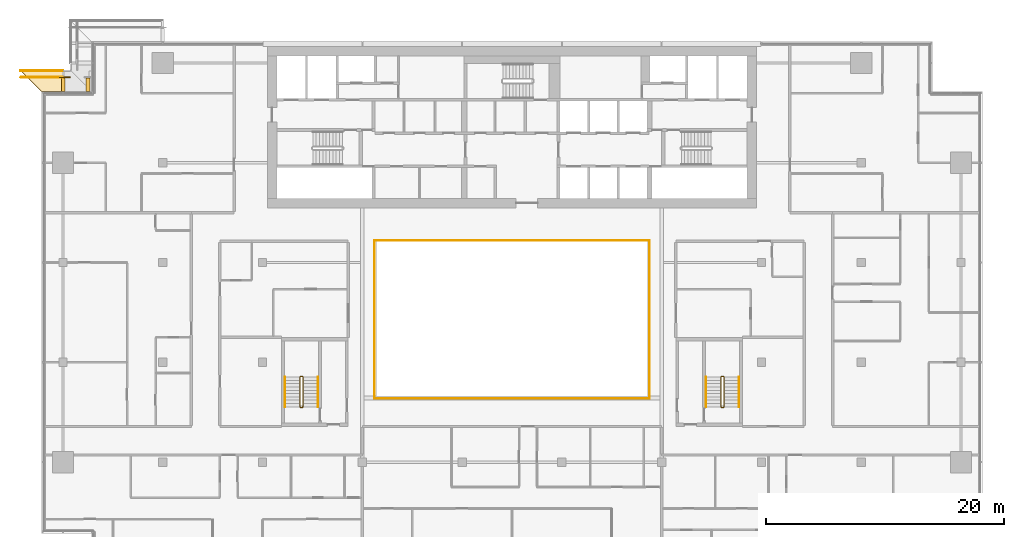
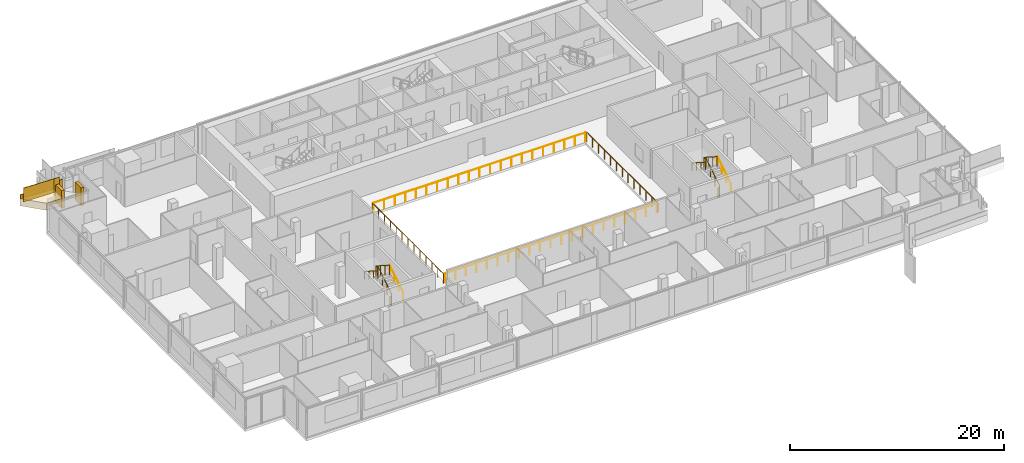
# One storey, part 26 of 30: 13 railings, 4 coverings.
"""IFC4 building model written with IfcOpenShell, lengths in metres."""

from ifc_helpers import new_model, si_unit, direction, frame, origin, origin_2d, place, context, subcontext, project, spatial, polyline, rectangle, circle, outline, extrude, material, layer, layer_set, type_object, element, save


model = new_model("IFC4")

# Units and contexts
model_context = context("Model", 3, precision=1e-05, world=origin(), true_north=direction((0.0, 1.0)))
body_context = subcontext(model_context, "Body", "Model", "MODEL_VIEW")
ifc_project = project(units=[si_unit("LENGTHUNIT", "METRE"), si_unit("AREAUNIT", "SQUARE_METRE"), si_unit("VOLUMEUNIT", "CUBIC_METRE"), si_unit("PLANEANGLEUNIT", "RADIAN"), si_unit("MASSUNIT", "GRAM", prefix="KILO")], contexts=[model_context])

# Site, building, storey
site_placement = place(None, origin())
site = spatial("IfcSite", under=ifc_project, at=site_placement, CompositionType="ELEMENT")
building_placement = place(site_placement, origin())
building = spatial("IfcBuilding", under=site, at=building_placement, Name="Saffron Gate Tower", CompositionType="ELEMENT")
storey_placement = place(building_placement, frame((0.0, 0.0, 179.85009765625)))
storey = spatial("IfcBuildingStorey", under=building, at=storey_placement, Name="L44", CompositionType="ELEMENT", Elevation=179.85009765625)

# Railings
ifc_material_1 = material(Name="Stainless steel and laminated glass", Category="steel")
railing_type_1 = type_object("IfcRailingType", Name="AG1 Atrium edge guard 1100", PredefinedType="GUARDRAIL", material=ifc_material_1)
railing_1_placement = place(storey_placement, frame((76.02001953125, 45.5400390625, 0.0)))
element("IfcRailing", 1, at=railing_1_placement, inside=storey, type_object=railing_type_1, Name="Guard C4-1", PredefinedType="GUARDRAIL", context=body_context, shape_type="SweptSolid", body=[
    extrude(circle(Radius=0.02392578125, at=origin_2d()), frame((0.0, 0.0, 1.076171875), z_axis=(0.0, 1.0, 0.0), x_axis=(-1.0, 0.0, 0.0)), (0.0, 0.0, 1.0), 13.320068359375),
    extrude(circle(Radius=0.02099609375, at=origin_2d()), origin(), (0.0, 0.0, 1.0), 1.052001953125),
    extrude(circle(Radius=0.02099609375, at=origin_2d()), frame((0.0, 1.110107421875, 0.0)), (0.0, 0.0, 1.0), 1.052001953125),
    extrude(circle(Radius=0.02099609375, at=origin_2d()), frame((0.0, 2.219970703125, 0.0)), (0.0, 0.0, 1.0), 1.052001953125),
    extrude(circle(Radius=0.02099609375, at=origin_2d()), frame((0.0, 3.330078125, 0.0)), (0.0, 0.0, 1.0), 1.052001953125),
    extrude(circle(Radius=0.02099609375, at=origin_2d()), frame((0.0, 4.43994140625, 0.0)), (0.0, 0.0, 1.0), 1.052001953125),
    extrude(circle(Radius=0.02099609375, at=origin_2d()), frame((0.0, 5.550048828125, 0.0)), (0.0, 0.0, 1.0), 1.052001953125),
    extrude(circle(Radius=0.02099609375, at=origin_2d()), frame((0.0, 6.66015625, 0.0)), (0.0, 0.0, 1.0), 1.052001953125),
    extrude(circle(Radius=0.02099609375, at=origin_2d()), frame((0.0, 7.77001953125, 0.0)), (0.0, 0.0, 1.0), 1.052001953125),
    extrude(circle(Radius=0.02099609375, at=origin_2d()), frame((0.0, 8.880126953125, 0.0)), (0.0, 0.0, 1.0), 1.052001953125),
    extrude(circle(Radius=0.02099609375, at=origin_2d()), frame((0.0, 9.989990234375, 0.0)), (0.0, 0.0, 1.0), 1.052001953125),
    extrude(circle(Radius=0.02099609375, at=origin_2d()), frame((0.0, 11.10009765625, 0.0)), (0.0, 0.0, 1.0), 1.052001953125),
    extrude(circle(Radius=0.02099609375, at=origin_2d()), frame((0.0, 12.2099609375, 0.0)), (0.0, 0.0, 1.0), 1.052001953125),
    extrude(circle(Radius=0.02099609375, at=origin_2d()), frame((0.0, 13.320068359375, 0.0)), (0.0, 0.0, 1.0), 1.052001953125),
])
railing_2_placement = place(storey_placement, frame((76.139892578125, 58.860107421875, 0.0)))
element("IfcRailing", 2, at=railing_2_placement, inside=storey, type_object=railing_type_1, Name="Guard C4-2", PredefinedType="GUARDRAIL", context=body_context, shape_type="SweptSolid", body=[
    extrude(circle(Radius=0.02392578125, at=origin_2d()), frame((0.0, 0.0, 1.076171875), z_axis=(1.0, 0.0, 0.0), x_axis=(0.0, 1.0, 0.0)), (0.0, 0.0, 1.0), 22.920166015625),
    extrude(circle(Radius=0.02099609375, at=origin_2d()), origin(), (0.0, 0.0, 1.0), 1.052001953125),
    extrude(circle(Radius=0.02099609375, at=origin_2d()), frame((1.14599609375, 0.0, 0.0)), (0.0, 0.0, 1.0), 1.052001953125),
    extrude(circle(Radius=0.02099609375, at=origin_2d()), frame((2.2919921875, 0.0, 0.0)), (0.0, 0.0, 1.0), 1.052001953125),
    extrude(circle(Radius=0.02099609375, at=origin_2d()), frame((3.43798828125, 0.0, 0.0)), (0.0, 0.0, 1.0), 1.052001953125),
    extrude(circle(Radius=0.02099609375, at=origin_2d()), frame((4.583984375, 0.0, 0.0)), (0.0, 0.0, 1.0), 1.052001953125),
    extrude(circle(Radius=0.02099609375, at=origin_2d()), frame((5.72998046875, 0.0, 0.0)), (0.0, 0.0, 1.0), 1.052001953125),
    extrude(circle(Radius=0.02099609375, at=origin_2d()), frame((6.8759765625, 0.0, 0.0)), (0.0, 0.0, 1.0), 1.052001953125),
    extrude(circle(Radius=0.02099609375, at=origin_2d()), frame((8.02197265625, 0.0, 0.0)), (0.0, 0.0, 1.0), 1.052001953125),
    extrude(circle(Radius=0.02099609375, at=origin_2d()), frame((9.16796875, 0.0, 0.0)), (0.0, 0.0, 1.0), 1.052001953125),
    extrude(circle(Radius=0.02099609375, at=origin_2d()), frame((10.31396484375, 0.0, 0.0)), (0.0, 0.0, 1.0), 1.052001953125),
    extrude(circle(Radius=0.02099609375, at=origin_2d()), frame((11.4599609375, 0.0, 0.0)), (0.0, 0.0, 1.0), 1.052001953125),
    extrude(circle(Radius=0.02099609375, at=origin_2d()), frame((12.606201171875, 0.0, 0.0)), (0.0, 0.0, 1.0), 1.052001953125),
    extrude(circle(Radius=0.02099609375, at=origin_2d()), frame((13.752197265625, 0.0, 0.0)), (0.0, 0.0, 1.0), 1.052001953125),
    extrude(circle(Radius=0.02099609375, at=origin_2d()), frame((14.898193359375, 0.0, 0.0)), (0.0, 0.0, 1.0), 1.052001953125),
    extrude(circle(Radius=0.02099609375, at=origin_2d()), frame((16.044189453125, 0.0, 0.0)), (0.0, 0.0, 1.0), 1.052001953125),
    extrude(circle(Radius=0.02099609375, at=origin_2d()), frame((17.190185546875, 0.0, 0.0)), (0.0, 0.0, 1.0), 1.052001953125),
    extrude(circle(Radius=0.02099609375, at=origin_2d()), frame((18.336181640625, 0.0, 0.0)), (0.0, 0.0, 1.0), 1.052001953125),
    extrude(circle(Radius=0.02099609375, at=origin_2d()), frame((19.482177734375, 0.0, 0.0)), (0.0, 0.0, 1.0), 1.052001953125),
    extrude(circle(Radius=0.02099609375, at=origin_2d()), frame((20.628173828125, 0.0, 0.0)), (0.0, 0.0, 1.0), 1.052001953125),
    extrude(circle(Radius=0.02099609375, at=origin_2d()), frame((21.774169921875, 0.0, 0.0)), (0.0, 0.0, 1.0), 1.052001953125),
    extrude(circle(Radius=0.02099609375, at=origin_2d()), frame((22.920166015625, 0.0, 0.0)), (0.0, 0.0, 1.0), 1.052001953125),
])
railing_3_placement = place(storey_placement, frame((99.179931640625, 58.860107421875, 0.0)))
element("IfcRailing", 3, at=railing_3_placement, inside=storey, type_object=railing_type_1, Name="Guard C4-3", PredefinedType="GUARDRAIL", context=body_context, shape_type="SweptSolid", body=[
    extrude(circle(Radius=0.02392578125, at=origin_2d()), frame((0.0, 0.0, 1.076171875), z_axis=(0.0, -1.0, 0.0), x_axis=(1.0, 0.0, 0.0)), (0.0, 0.0, 1.0), 13.320068359375),
    extrude(circle(Radius=0.02099609375, at=origin_2d()), origin(), (0.0, 0.0, 1.0), 1.052001953125),
    extrude(circle(Radius=0.02099609375, at=origin_2d()), frame((0.0, -1.110107421875, 0.0)), (0.0, 0.0, 1.0), 1.052001953125),
    extrude(circle(Radius=0.02099609375, at=origin_2d()), frame((0.0, -2.219970703125, 0.0)), (0.0, 0.0, 1.0), 1.052001953125),
    extrude(circle(Radius=0.02099609375, at=origin_2d()), frame((0.0, -3.330078125, 0.0)), (0.0, 0.0, 1.0), 1.052001953125),
    extrude(circle(Radius=0.02099609375, at=origin_2d()), frame((0.0, -4.43994140625, 0.0)), (0.0, 0.0, 1.0), 1.052001953125),
    extrude(circle(Radius=0.02099609375, at=origin_2d()), frame((0.0, -5.550048828125, 0.0)), (0.0, 0.0, 1.0), 1.052001953125),
    extrude(circle(Radius=0.02099609375, at=origin_2d()), frame((0.0, -6.66015625, 0.0)), (0.0, 0.0, 1.0), 1.052001953125),
    extrude(circle(Radius=0.02099609375, at=origin_2d()), frame((0.0, -7.77001953125, 0.0)), (0.0, 0.0, 1.0), 1.052001953125),
    extrude(circle(Radius=0.02099609375, at=origin_2d()), frame((0.0, -8.880126953125, 0.0)), (0.0, 0.0, 1.0), 1.052001953125),
    extrude(circle(Radius=0.02099609375, at=origin_2d()), frame((0.0, -9.989990234375, 0.0)), (0.0, 0.0, 1.0), 1.052001953125),
    extrude(circle(Radius=0.02099609375, at=origin_2d()), frame((0.0, -11.10009765625, 0.0)), (0.0, 0.0, 1.0), 1.052001953125),
    extrude(circle(Radius=0.02099609375, at=origin_2d()), frame((0.0, -12.2099609375, 0.0)), (0.0, 0.0, 1.0), 1.052001953125),
    extrude(circle(Radius=0.02099609375, at=origin_2d()), frame((0.0, -13.320068359375, 0.0)), (0.0, 0.0, 1.0), 1.052001953125),
])
railing_4_placement = place(storey_placement, frame((99.06005859375, 45.5400390625, 0.0)))
element("IfcRailing", 4, at=railing_4_placement, inside=storey, type_object=railing_type_1, Name="Guard C4-4", PredefinedType="GUARDRAIL", context=body_context, shape_type="SweptSolid", body=[
    extrude(circle(Radius=0.02392578125, at=origin_2d()), frame((0.0, 0.0, 1.076171875), z_axis=(-1.0, 0.0, 0.0), x_axis=(0.0, -1.0, 0.0)), (0.0, 0.0, 1.0), 22.920166015625),
    extrude(circle(Radius=0.02099609375, at=origin_2d()), origin(), (0.0, 0.0, 1.0), 1.052001953125),
    extrude(circle(Radius=0.02099609375, at=origin_2d()), frame((-1.14599609375, 0.0, 0.0)), (0.0, 0.0, 1.0), 1.052001953125),
    extrude(circle(Radius=0.02099609375, at=origin_2d()), frame((-2.2919921875, 0.0, 0.0)), (0.0, 0.0, 1.0), 1.052001953125),
    extrude(circle(Radius=0.02099609375, at=origin_2d()), frame((-3.43798828125, 0.0, 0.0)), (0.0, 0.0, 1.0), 1.052001953125),
    extrude(circle(Radius=0.02099609375, at=origin_2d()), frame((-4.583984375, 0.0, 0.0)), (0.0, 0.0, 1.0), 1.052001953125),
    extrude(circle(Radius=0.02099609375, at=origin_2d()), frame((-5.72998046875, 0.0, 0.0)), (0.0, 0.0, 1.0), 1.052001953125),
    extrude(circle(Radius=0.02099609375, at=origin_2d()), frame((-6.8759765625, 0.0, 0.0)), (0.0, 0.0, 1.0), 1.052001953125),
    extrude(circle(Radius=0.02099609375, at=origin_2d()), frame((-8.02197265625, 0.0, 0.0)), (0.0, 0.0, 1.0), 1.052001953125),
    extrude(circle(Radius=0.02099609375, at=origin_2d()), frame((-9.16796875, 0.0, 0.0)), (0.0, 0.0, 1.0), 1.052001953125),
    extrude(circle(Radius=0.02099609375, at=origin_2d()), frame((-10.31396484375, 0.0, 0.0)), (0.0, 0.0, 1.0), 1.052001953125),
    extrude(circle(Radius=0.02099609375, at=origin_2d()), frame((-11.4599609375, 0.0, 0.0)), (0.0, 0.0, 1.0), 1.052001953125),
    extrude(circle(Radius=0.02099609375, at=origin_2d()), frame((-12.606201171875, 0.0, 0.0)), (0.0, 0.0, 1.0), 1.052001953125),
    extrude(circle(Radius=0.02099609375, at=origin_2d()), frame((-13.752197265625, 0.0, 0.0)), (0.0, 0.0, 1.0), 1.052001953125),
    extrude(circle(Radius=0.02099609375, at=origin_2d()), frame((-14.898193359375, 0.0, 0.0)), (0.0, 0.0, 1.0), 1.052001953125),
    extrude(circle(Radius=0.02099609375, at=origin_2d()), frame((-16.044189453125, 0.0, 0.0)), (0.0, 0.0, 1.0), 1.052001953125),
    extrude(circle(Radius=0.02099609375, at=origin_2d()), frame((-17.190185546875, 0.0, 0.0)), (0.0, 0.0, 1.0), 1.052001953125),
    extrude(circle(Radius=0.02099609375, at=origin_2d()), frame((-18.336181640625, 0.0, 0.0)), (0.0, 0.0, 1.0), 1.052001953125),
    extrude(circle(Radius=0.02099609375, at=origin_2d()), frame((-19.482177734375, 0.0, 0.0)), (0.0, 0.0, 1.0), 1.052001953125),
    extrude(circle(Radius=0.02099609375, at=origin_2d()), frame((-20.628173828125, 0.0, 0.0)), (0.0, 0.0, 1.0), 1.052001953125),
    extrude(circle(Radius=0.02099609375, at=origin_2d()), frame((-21.774169921875, 0.0, 0.0)), (0.0, 0.0, 1.0), 1.052001953125),
    extrude(circle(Radius=0.02099609375, at=origin_2d()), frame((-22.920166015625, 0.0, 0.0)), (0.0, 0.0, 1.0), 1.052001953125),
])
railing_type_2 = type_object("IfcRailingType", Name="CR1 Stair guard 1100", PredefinedType="GUARDRAIL", material=ifc_material_1)
railing_5_placement = place(storey_placement, frame((69.800048828125, 44.800048828125, 0.0)))
element("IfcRailing", 5, at=railing_5_placement, inside=storey, type_object=railing_type_2, Name="L44 ST-D stair guard 1", PredefinedType="GUARDRAIL", context=body_context, shape_type="SweptSolid", body=[
    extrude(circle(Radius=0.02392578125, at=origin_2d()), frame((0.0, 0.0, 1.076171875), z_axis=(1.0, 0.0, 0.0), x_axis=(0.0, 1.0, 0.0)), (0.0, 0.0, 1.0), 0.14990234375),
    extrude(circle(Radius=0.02392578125, at=origin_2d()), frame((0.14990234375, 0.0, 1.076171875), z_axis=(0.258847668887, 0.258847668887, 0.930588936439), x_axis=(-0.707106781187, 0.707106781187, 0.0)), (0.0, 0.0, 1.0), 0.193359375),
    extrude(circle(Radius=0.02392578125, at=origin_2d()), frame((0.199951171875, 0.050048828125, 1.255859375), z_axis=(0.0, 0.841199657755, 0.540724639528), x_axis=(-1.0, 0.0, 0.0)), (0.0, 0.0, 1.0), 2.995849609375),
    extrude(circle(Radius=0.02392578125, at=origin_2d()), frame((0.199951171875, 2.570068359375, 2.8759765625), z_axis=(-0.708833529934, 0.705375805398, 0.0), x_axis=(-0.705375805398, -0.708833529934, 0.0)), (0.0, 0.0, 1.0), 0.070556640625),
    extrude(circle(Radius=0.02392578125, at=origin_2d()), frame((0.14990234375, 2.619873046875, 2.8759765625), z_axis=(-1.0, 0.0, 0.0), x_axis=(0.0, -1.0, 0.0)), (0.0, 0.0, 1.0), 0.14990234375),
    extrude(circle(Radius=0.02392578125, at=origin_2d()), frame((0.0, 2.619873046875, 2.8759765625), z_axis=(-0.258627984543, -0.257366384619, 0.931060744355), x_axis=(0.705375805398, -0.708833529934, 0.0)), (0.0, 0.0, 1.0), 0.193603515625),
    extrude(circle(Radius=0.02392578125, at=origin_2d()), frame((-0.050048828125, 2.570068359375, 3.05615234375), z_axis=(0.0, -0.841199657755, 0.540724639528), x_axis=(1.0, 0.0, 0.0)), (0.0, 0.0, 1.0), 2.995849609375),
    extrude(circle(Radius=0.02099609375, at=origin_2d()), origin(), (0.0, 0.0, 1.0), 1.052001953125),
    extrude(circle(Radius=0.02099609375, at=origin_2d()), frame((0.14990234375, 0.0, 0.0)), (0.0, 0.0, 1.0), 1.052001953125),
    extrude(circle(Radius=0.02099609375, at=origin_2d()), frame((0.199951171875, 0.050048828125, 0.179931640625)), (0.0, 0.0, 1.0), 1.052001953125),
    extrude(circle(Radius=0.02099609375, at=origin_2d()), frame((0.199951171875, 0.89013671875, 0.719970703125)), (0.0, 0.0, 1.0), 1.052001953125),
    extrude(circle(Radius=0.02099609375, at=origin_2d()), frame((0.199951171875, 1.72998046875, 1.259765625)), (0.0, 0.0, 1.0), 1.052001953125),
    extrude(circle(Radius=0.02099609375, at=origin_2d()), frame((0.199951171875, 2.570068359375, 1.7998046875)), (0.0, 0.0, 1.0), 1.052001953125),
    extrude(circle(Radius=0.02099609375, at=origin_2d()), frame((0.14990234375, 2.619873046875, 1.7998046875)), (0.0, 0.0, 1.0), 1.052001953125),
    extrude(circle(Radius=0.02099609375, at=origin_2d()), frame((0.0, 2.619873046875, 1.7998046875)), (0.0, 0.0, 1.0), 1.052001953125),
    extrude(circle(Radius=0.02099609375, at=origin_2d()), frame((-0.050048828125, 2.570068359375, 1.97998046875)), (0.0, 0.0, 1.0), 1.052001953125),
    extrude(circle(Radius=0.02099609375, at=origin_2d()), frame((-0.050048828125, 1.72998046875, 2.52001953125)), (0.0, 0.0, 1.0), 1.052001953125),
    extrude(circle(Radius=0.02099609375, at=origin_2d()), frame((-0.050048828125, 0.89013671875, 3.059814453125)), (0.0, 0.0, 1.0), 1.052001953125),
    extrude(circle(Radius=0.02099609375, at=origin_2d()), frame((-0.050048828125, 0.050048828125, 3.599853515625)), (0.0, 0.0, 1.0), 1.052001953125),
])
railing_6_placement = place(storey_placement, frame((105.25, 44.800048828125, 0.0)))
element("IfcRailing", 6, at=railing_6_placement, inside=storey, type_object=railing_type_2, Name="L44 ST-E stair guard 1", PredefinedType="GUARDRAIL", context=body_context, shape_type="SweptSolid", body=[
    extrude(circle(Radius=0.02392578125, at=origin_2d()), frame((0.0, 0.0, 1.076171875), z_axis=(1.0, 0.0, 0.0), x_axis=(0.0, 1.0, 0.0)), (0.0, 0.0, 1.0), 0.14990234375),
    extrude(circle(Radius=0.02392578125, at=origin_2d()), frame((0.14990234375, 0.0, 1.076171875), z_axis=(0.258847668887, 0.258847668887, 0.930588936439), x_axis=(-0.707106781187, 0.707106781187, 0.0)), (0.0, 0.0, 1.0), 0.193359375),
    extrude(circle(Radius=0.02392578125, at=origin_2d()), frame((0.199951171875, 0.050048828125, 1.255859375), z_axis=(0.0, 0.841199657755, 0.540724639528), x_axis=(-1.0, 0.0, 0.0)), (0.0, 0.0, 1.0), 2.995849609375),
    extrude(circle(Radius=0.02392578125, at=origin_2d()), frame((0.199951171875, 2.570068359375, 2.8759765625), z_axis=(-0.708833529934, 0.705375805398, 0.0), x_axis=(-0.705375805398, -0.708833529934, 0.0)), (0.0, 0.0, 1.0), 0.070556640625),
    extrude(circle(Radius=0.02392578125, at=origin_2d()), frame((0.14990234375, 2.619873046875, 2.8759765625), z_axis=(-1.0, 0.0, 0.0), x_axis=(0.0, -1.0, 0.0)), (0.0, 0.0, 1.0), 0.14990234375),
    extrude(circle(Radius=0.02392578125, at=origin_2d()), frame((0.0, 2.619873046875, 2.8759765625), z_axis=(-0.258627984543, -0.257366384619, 0.931060744355), x_axis=(0.705375805398, -0.708833529934, 0.0)), (0.0, 0.0, 1.0), 0.193603515625),
    extrude(circle(Radius=0.02392578125, at=origin_2d()), frame((-0.050048828125, 2.570068359375, 3.05615234375), z_axis=(0.0, -0.841199657755, 0.540724639528), x_axis=(1.0, 0.0, 0.0)), (0.0, 0.0, 1.0), 2.995849609375),
    extrude(circle(Radius=0.02099609375, at=origin_2d()), origin(), (0.0, 0.0, 1.0), 1.052001953125),
    extrude(circle(Radius=0.02099609375, at=origin_2d()), frame((0.14990234375, 0.0, 0.0)), (0.0, 0.0, 1.0), 1.052001953125),
    extrude(circle(Radius=0.02099609375, at=origin_2d()), frame((0.199951171875, 0.050048828125, 0.179931640625)), (0.0, 0.0, 1.0), 1.052001953125),
    extrude(circle(Radius=0.02099609375, at=origin_2d()), frame((0.199951171875, 0.89013671875, 0.719970703125)), (0.0, 0.0, 1.0), 1.052001953125),
    extrude(circle(Radius=0.02099609375, at=origin_2d()), frame((0.199951171875, 1.72998046875, 1.259765625)), (0.0, 0.0, 1.0), 1.052001953125),
    extrude(circle(Radius=0.02099609375, at=origin_2d()), frame((0.199951171875, 2.570068359375, 1.7998046875)), (0.0, 0.0, 1.0), 1.052001953125),
    extrude(circle(Radius=0.02099609375, at=origin_2d()), frame((0.14990234375, 2.619873046875, 1.7998046875)), (0.0, 0.0, 1.0), 1.052001953125),
    extrude(circle(Radius=0.02099609375, at=origin_2d()), frame((0.0, 2.619873046875, 1.7998046875)), (0.0, 0.0, 1.0), 1.052001953125),
    extrude(circle(Radius=0.02099609375, at=origin_2d()), frame((-0.050048828125, 2.570068359375, 1.97998046875)), (0.0, 0.0, 1.0), 1.052001953125),
    extrude(circle(Radius=0.02099609375, at=origin_2d()), frame((-0.050048828125, 1.72998046875, 2.52001953125)), (0.0, 0.0, 1.0), 1.052001953125),
    extrude(circle(Radius=0.02099609375, at=origin_2d()), frame((-0.050048828125, 0.89013671875, 3.059814453125)), (0.0, 0.0, 1.0), 1.052001953125),
    extrude(circle(Radius=0.02099609375, at=origin_2d()), frame((-0.050048828125, 0.050048828125, 3.599853515625)), (0.0, 0.0, 1.0), 1.052001953125),
])
ifc_material_2 = material(Name="Stainless steel", Category="steel")
railing_type_3 = type_object("IfcRailingType", Name="CR2 Stair handrail 900", PredefinedType="HANDRAIL", material=ifc_material_2)
railing_7_placement = place(storey_placement, frame((71.25, 44.85009765625, 0.179931640625)))
element("IfcRailing", 7, at=railing_7_placement, inside=storey, type_object=railing_type_3, Name="L44 ST-D stair handrail 1", PredefinedType="HANDRAIL", context=body_context, shape_type="SweptSolid", body=[
    extrude(circle(Radius=0.02392578125, at=origin_2d()), frame((0.0, 0.0, 0.8759765625), z_axis=(0.0, 0.841199657755, 0.540724639528), x_axis=(-1.0, 0.0, 0.0)), (0.0, 0.0, 1.0), 2.995849609375),
    extrude(circle(Radius=0.02099609375, at=origin_2d()), origin(), (0.0, 0.0, 1.0), 0.851806640625),
    extrude(circle(Radius=0.02099609375, at=origin_2d()), frame((0.0, 0.840087890625, 0.5400390625)), (0.0, 0.0, 1.0), 0.851806640625),
    extrude(circle(Radius=0.02099609375, at=origin_2d()), frame((0.0, 1.679931640625, 1.079833984375)), (0.0, 0.0, 1.0), 0.851806640625),
    extrude(circle(Radius=0.02099609375, at=origin_2d()), frame((0.0, 2.52001953125, 1.619873046875)), (0.0, 0.0, 1.0), 0.851806640625),
])
railing_8_placement = place(storey_placement, frame((68.5, 47.3701171875, 1.97998046875)))
element("IfcRailing", 8, at=railing_8_placement, inside=storey, type_object=railing_type_3, Name="L44 ST-D stair handrail 2", PredefinedType="HANDRAIL", context=body_context, shape_type="SweptSolid", body=[
    extrude(circle(Radius=0.02392578125, at=origin_2d()), frame((0.0, 0.0, 0.8759765625), z_axis=(0.0, -0.841199657755, 0.540724639528), x_axis=(1.0, 0.0, 0.0)), (0.0, 0.0, 1.0), 2.995849609375),
    extrude(circle(Radius=0.02099609375, at=origin_2d()), origin(), (0.0, 0.0, 1.0), 0.851806640625),
    extrude(circle(Radius=0.02099609375, at=origin_2d()), frame((0.0, -0.840087890625, 0.5400390625)), (0.0, 0.0, 1.0), 0.851806640625),
    extrude(circle(Radius=0.02099609375, at=origin_2d()), frame((0.0, -1.679931640625, 1.079833984375)), (0.0, 0.0, 1.0), 0.851806640625),
    extrude(circle(Radius=0.02099609375, at=origin_2d()), frame((0.0, -2.52001953125, 1.619873046875)), (0.0, 0.0, 1.0), 0.851806640625),
])
railing_9_placement = place(storey_placement, frame((106.699951171875, 44.85009765625, 0.179931640625)))
element("IfcRailing", 9, at=railing_9_placement, inside=storey, type_object=railing_type_3, Name="L44 ST-E stair handrail 1", PredefinedType="HANDRAIL", context=body_context, shape_type="SweptSolid", body=[
    extrude(circle(Radius=0.02392578125, at=origin_2d()), frame((0.0, 0.0, 0.8759765625), z_axis=(0.0, 0.841199657755, 0.540724639528), x_axis=(-1.0, 0.0, 0.0)), (0.0, 0.0, 1.0), 2.995849609375),
    extrude(circle(Radius=0.02099609375, at=origin_2d()), origin(), (0.0, 0.0, 1.0), 0.851806640625),
    extrude(circle(Radius=0.02099609375, at=origin_2d()), frame((0.0, 0.840087890625, 0.5400390625)), (0.0, 0.0, 1.0), 0.851806640625),
    extrude(circle(Radius=0.02099609375, at=origin_2d()), frame((0.0, 1.679931640625, 1.079833984375)), (0.0, 0.0, 1.0), 0.851806640625),
    extrude(circle(Radius=0.02099609375, at=origin_2d()), frame((0.0, 2.52001953125, 1.619873046875)), (0.0, 0.0, 1.0), 0.851806640625),
])
railing_10_placement = place(storey_placement, frame((103.949951171875, 47.3701171875, 1.97998046875)))
element("IfcRailing", 10, at=railing_10_placement, inside=storey, type_object=railing_type_3, Name="L44 ST-E stair handrail 2", PredefinedType="HANDRAIL", context=body_context, shape_type="SweptSolid", body=[
    extrude(circle(Radius=0.02392578125, at=origin_2d()), frame((0.0, 0.0, 0.8759765625), z_axis=(0.0, -0.841199657755, 0.540724639528), x_axis=(1.0, 0.0, 0.0)), (0.0, 0.0, 1.0), 2.995849609375),
    extrude(circle(Radius=0.02099609375, at=origin_2d()), origin(), (0.0, 0.0, 1.0), 0.851806640625),
    extrude(circle(Radius=0.02099609375, at=origin_2d()), frame((0.0, -0.840087890625, 0.5400390625)), (0.0, 0.0, 1.0), 0.851806640625),
    extrude(circle(Radius=0.02099609375, at=origin_2d()), frame((0.0, -1.679931640625, 1.079833984375)), (0.0, 0.0, 1.0), 0.851806640625),
    extrude(circle(Radius=0.02099609375, at=origin_2d()), frame((0.0, -2.52001953125, 1.619873046875)), (0.0, 0.0, 1.0), 0.851806640625),
])

# Coverings
ifc_material_3 = material(Name="Timber, thermally modified ash", Category="wood")
ifc_layer_1 = layer(ifc_material_3, 0.800048828125)
ifc_layer_set_1 = layer_set([ifc_layer_1], Name="LD1 ledge timber")
covering_type_1 = type_object("IfcCoveringType", Name="LD1 ledge timber", PredefinedType="CLADDING", material=ifc_layer_set_1)
covering_1_placement = place(storey_placement, frame((49.800048828125, 71.39990234375, 3.218994140625), z_axis=(0.028831989003, 4.5191205e-05, 0.999584270769), x_axis=(-0.999584271789, -2.041e-09, 0.028831989032)))
element("IfcCovering", 11, at=covering_1_placement, inside=storey, type_object=covering_type_1, Name="LEDGE", PredefinedType="CLADDING", context=body_context, shape_type="SweptSolid", body=[
    extrude(outline(polyline([(0.0, 0.0), (1.8007998167885757, 0.0), (3.6015925908427215, -1.800048837315338), (-3.6746077267916745e-09, -1.80004882628693), (0.0, 0.0)])), origin(), (0.0, 0.0, -1.0), 0.800048828125),
])
ifc_layer_2 = layer(ifc_material_3, 0.080078125)
ifc_layer_set_2 = layer_set([ifc_layer_2], Name="LD2 ledge planter trough")
covering_type_2 = type_object("IfcCoveringType", Name="LD2 ledge planter trough", PredefinedType="CLADDING", material=ifc_layer_set_2)
covering_2_placement = place(storey_placement, frame((49.800048828125, 73.199951171875, 3.218994140625), z_axis=(0.0, 1.0, 0.0), x_axis=(-0.99958492274, 0.0, 0.028809412191)))
element("IfcCovering", 12, at=covering_2_placement, inside=storey, type_object=covering_type_2, Name="LEDGE planter trough", PredefinedType="CLADDING", context=body_context, shape_type="SweptSolid", body=[
    extrude(outline(polyline([(0.0, 0.0), (3.601592595435983, 0.0), (3.6159973015313485, 0.4997924613700232), (0.014404706095365512, 0.4997924613700232), (0.0, 0.0)])), origin(), (0.0, 0.0, -1.0), 0.080078125),
])
ifc_layer_3 = layer(ifc_material_3, 0.300048828125)
ifc_layer_set_3 = layer_set([ifc_layer_3], Name="LD3 ledge riser fin")
covering_type_3 = type_object("IfcCoveringType", Name="LD3 ledge riser fin", PredefinedType="CLADDING", material=ifc_layer_set_3)
for number, where, z_axis, x_axis, name in (
    (13, (51.89990234375, 71.9599609375, 1.6640625), (0.0, 0.0, 1.0), (-1.0, 0.0, 0.0), "LEDGE riser fin"),
    (14, (49.800048828125, 71.9599609375, 2.076171875), (0.0, 0.0, 1.0), (-1.0, 0.0, 0.0), "LEDGE riser fin"),
):
    element("IfcCovering", number, at=place(storey_placement, frame(where, z_axis=z_axis, x_axis=x_axis)), inside=storey, type_object=covering_type_3, Name=name, PredefinedType="CLADDING", context=body_context, shape_type="SweptSolid", body=[
        extrude(rectangle(XDim=0.300048828125, YDim=1.1201171875, at=origin_2d()), origin(), (0.0, 0.0, 1.0), 2.04296875),
    ])

# Railings
railing_type_4 = type_object("IfcRailingType", Name="LG1 ledge balustrade", PredefinedType="BALUSTRADE", material=ifc_material_3)
railing_11_placement = place(storey_placement, frame((50.39990234375, 72.60009765625, 2.85888671875)))
element("IfcRailing", 15, at=railing_11_placement, inside=storey, type_object=railing_type_4, Name="LEDGE BALUSTRADE", PredefinedType="BALUSTRADE", context=body_context, shape_type="SweptSolid", body=[
    extrude(rectangle(XDim=0.06005859375, YDim=1.60009765625, at=origin_2d()), frame((0.0, 0.0, 0.800048828125), z_axis=(-0.999594406032, 0.0, 0.028478473106), x_axis=(0.0, -1.0, 0.0)), (0.0, 0.0, 1.0), 0.60009765625),
])
railing_12_placement = place(storey_placement, frame((49.800048828125, 72.60009765625, 3.218994140625)))
element("IfcRailing", 16, at=railing_12_placement, inside=storey, type_object=railing_type_4, Name="LEDGE BALUSTRADE", PredefinedType="BALUSTRADE", context=body_context, shape_type="SweptSolid", body=[
    extrude(rectangle(XDim=0.06005859375, YDim=1.60009765625, at=origin_2d()), frame((0.0, 0.0, 0.800048828125), z_axis=(-0.99958492274, 0.0, 0.028809412191), x_axis=(0.0, -1.0, 0.0)), (0.0, 0.0, 1.0), 3.6015625),
])
railing_13_placement = place(storey_placement, frame((50.10009765625, 72.60009765625, 2.8759765625)))
element("IfcRailing", 17, at=railing_13_placement, inside=storey, type_object=railing_type_4, Name="LEDGE BALUSTRADE", PredefinedType="BALUSTRADE", context=body_context, shape_type="SweptSolid", body=[
    extrude(rectangle(XDim=0.06005859375, YDim=1.943115234375, at=origin_2d()), frame((0.0, 0.0, 0.9716796875), z_axis=(-1.0, 0.0, 0.0), x_axis=(0.0, -1.0, 0.0)), (0.0, 0.0, 1.0), 0.60009765625),
])

save(model, "model.ifc")
